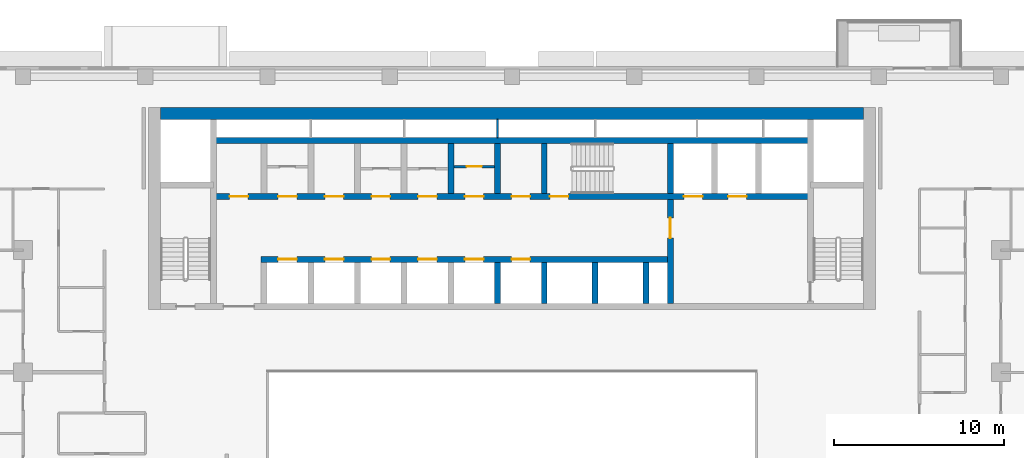
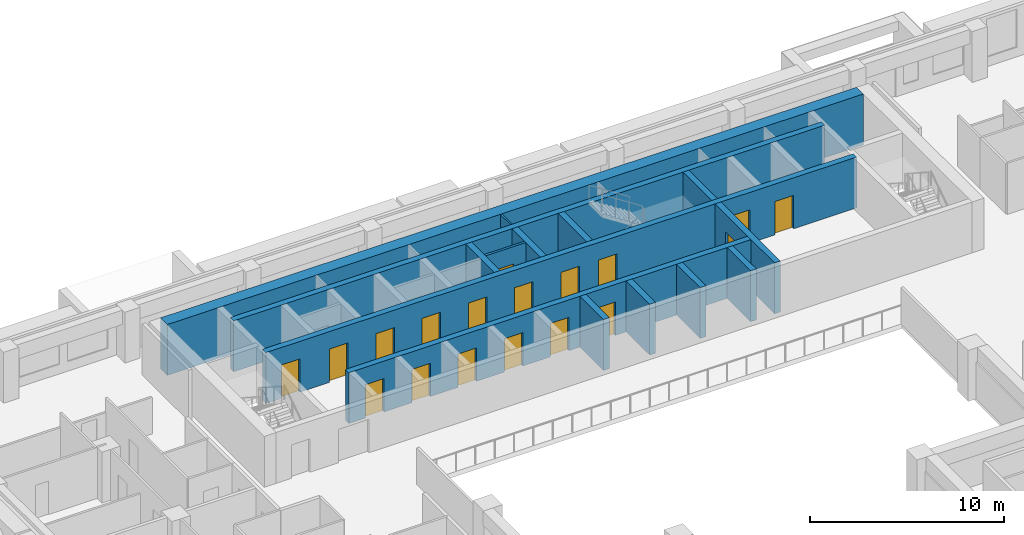
# One storey, part 10 of 17: 18 doors, 15 walls, 18 openings.
"""IFC4 building model written with IfcOpenShell, lengths in metres."""

from ifc_helpers import new_model, si_unit, direction, frame, frame_2d, origin, place, context, subcontext, project, spatial, rectangle, extrude, material, layer, layer_set, type_object, element, fill, save


model = new_model("IFC4")

# Units and contexts
model_context = context("Model", 3, precision=1e-05, world=origin(), true_north=direction((0.0, 1.0)))
body_context = subcontext(model_context, "Body", "Model", "MODEL_VIEW")
ifc_project = project(units=[si_unit("LENGTHUNIT", "METRE"), si_unit("AREAUNIT", "SQUARE_METRE"), si_unit("VOLUMEUNIT", "CUBIC_METRE"), si_unit("PLANEANGLEUNIT", "RADIAN"), si_unit("MASSUNIT", "GRAM", prefix="KILO")], contexts=[model_context])

# Site, building, storey
site_placement = place(None, origin())
site = spatial("IfcSite", under=ifc_project, at=site_placement, CompositionType="ELEMENT")
building_placement = place(site_placement, origin())
building = spatial("IfcBuilding", under=site, at=building_placement, Name="Saffron Iwan Residences", CompositionType="ELEMENT")
storey_placement = place(building_placement, frame((0.0, 0.0, 113.0)))
storey = spatial("IfcBuildingStorey", under=building, at=storey_placement, Name="L29", CompositionType="ELEMENT", Elevation=113.0)

# Wall, opening, door
ifc_material_1 = material(Name="Fire-rated plasterboard partition")
ifc_layer_1 = layer(ifc_material_1, 0.14990234375)
ifc_layer_set_1 = layer_set([ifc_layer_1], Name="Fire-rated plasterboard partition")
wall_type_1 = type_object("IfcWallType", Name="Core partition 150", PredefinedType="PARTITIONING", material=ifc_layer_set_1)
wall_1_placement = place(storey_placement, frame((46.97509765625, 74.51806640625, 0.0), z_axis=(0.0, 0.0, 1.0), x_axis=(1.0, 0.0, 0.0)))
wall_1 = element("IfcWall", 1, at=wall_1_placement, inside=storey, type_object=wall_type_1, Name="Core partition P04", PredefinedType="PARTITIONING", context=body_context, shape_type="SweptSolid", body=[
    extrude(rectangle(XDim=2.39990234375, YDim=0.14990234375, at=frame_2d((1.199951171875, 0.0))), origin(), (0.0, 0.0, 1.0), 3.199951171875),
])
opening_1_placement = place(wall_1_placement, frame((0.75, 0.0, 0.0)))
opening_1 = element("IfcOpeningElement", 2, at=opening_1_placement, cuts=wall_1, Name="Opening SB", PredefinedType="OPENING", context=body_context, shape_type="SweptSolid", body=[
    extrude(rectangle(XDim=0.89990234375, YDim=2.10009765625, at=frame_2d((0.449951171875, 1.050048828125))), frame((0.0, 0.0849609375, 0.0), z_axis=(0.0, -1.0, 0.0), x_axis=(1.0, 0.0, 0.0)), (0.0, 0.0, 1.0), 0.169921875),
])
ifc_material_2 = material(Name="Steel fire door", Category="steel")
door_type_1 = type_object("IfcDoorType", Name="Store door 900", OperationType="NOTDEFINED", PredefinedType="DOOR", material=ifc_material_2)
door_1_placement = place(opening_1_placement, origin())
door_1 = element("IfcDoor", 3, at=door_1_placement, inside=storey, type_object=door_type_1, Name="Door Equipment store", OperationType="SINGLE_SWING_RIGHT", OverallHeight=2.10009765625, OverallWidth=0.89990234375, PredefinedType="DOOR", context=body_context, shape_type="SweptSolid", body=[
    extrude(rectangle(XDim=0.89990234375, YDim=2.10009765625, at=frame_2d((0.449951171875, 1.050048828125))), frame((0.0, 0.02490234375, 0.0), z_axis=(0.0, -1.0, 0.0), x_axis=(1.0, 0.0, 0.0)), (0.0, 0.0, 1.0), 0.050048828125),
])
fill(opening_1, door_1)

# Wall
ifc_layer_2 = layer(ifc_material_1, 0.10009765625)
ifc_layer_set_2 = layer_set([ifc_layer_2], Name="Fire-rated plasterboard partition")
wall_type_2 = type_object("IfcWallType", Name="Riser partition 100", PredefinedType="PARTITIONING", material=ifc_layer_set_2)
wall_2_placement = place(storey_placement, frame((49.550048828125, 76.22509765625, 0.0), z_axis=(0.0, 0.0, 1.0), x_axis=(0.0, 1.0, 0.0)))
element("IfcWall", 4, at=wall_2_placement, inside=storey, type_object=wall_type_2, Name="Core partition P07", PredefinedType="PARTITIONING", context=body_context, shape_type="SweptSolid", body=[
    extrude(rectangle(XDim=1.074951171875, YDim=0.10009765625, at=frame_2d((0.53759765625, 0.0))), origin(), (0.0, 0.0, 1.0), 3.199951171875),
])

# Wall, openings, doors
ifc_material_3 = material(Name="Concrete C50/60", Category="concrete")
ifc_layer_3 = layer(ifc_material_3, 0.35009765625)
ifc_layer_set_3 = layer_set([ifc_layer_3], Name="Concrete C50/60")
wall_type_3 = type_object("IfcWallType", Name="WALL CORE 350 C50/60 3200 HIGH", PredefinedType="SHEAR", material=ifc_layer_set_3)
wall_3_placement = place(storey_placement, frame((35.625, 69.050048828125, 0.0), z_axis=(0.0, 0.0, 1.0), x_axis=(1.0, 0.0, 0.0)))
wall_3 = element("IfcWall", 5, at=wall_3_placement, inside=storey, type_object=wall_type_3, Name="Core wall", PredefinedType="SHEAR", context=body_context, shape_type="SweptSolid", body=[
    extrude(rectangle(XDim=24.10009765625, YDim=0.35009765625, at=frame_2d((12.050048828125, 0.0))), origin(), (0.0, 0.0, 1.0), 3.199951171875),
])
opening_2_placement = place(wall_3_placement, frame((1.0, 0.0, 0.0)))
opening_2 = element("IfcOpeningElement", 6, at=opening_2_placement, cuts=wall_3, Name="Opening LD", PredefinedType="OPENING", context=body_context, shape_type="SweptSolid", body=[
    extrude(rectangle(XDim=1.10009765625, YDim=2.10009765625, at=frame_2d((0.550048828125, 1.050048828125))), frame((0.0, 0.18505859375, 0.0), z_axis=(0.0, -1.0, 0.0), x_axis=(1.0, 0.0, 0.0)), (0.0, 0.0, 1.0), 0.3701171875),
])
opening_3_placement = place(wall_3_placement, frame((3.75, 0.0, 0.0)))
opening_3 = element("IfcOpeningElement", 7, at=opening_3_placement, cuts=wall_3, Name="Opening LD", PredefinedType="OPENING", context=body_context, shape_type="SweptSolid", body=[
    extrude(rectangle(XDim=1.10009765625, YDim=2.10009765625, at=frame_2d((0.550048828125, 1.050048828125))), frame((0.0, 0.18505859375, 0.0), z_axis=(0.0, -1.0, 0.0), x_axis=(1.0, 0.0, 0.0)), (0.0, 0.0, 1.0), 0.3701171875),
])
opening_4_placement = place(wall_3_placement, frame((6.5, 0.0, 0.0)))
opening_4 = element("IfcOpeningElement", 8, at=opening_4_placement, cuts=wall_3, Name="Opening LD", PredefinedType="OPENING", context=body_context, shape_type="SweptSolid", body=[
    extrude(rectangle(XDim=1.10009765625, YDim=2.10009765625, at=frame_2d((0.550048828125, 1.050048828125))), frame((0.0, 0.18505859375, 0.0), z_axis=(0.0, -1.0, 0.0), x_axis=(1.0, 0.0, 0.0)), (0.0, 0.0, 1.0), 0.3701171875),
])
opening_5_placement = place(wall_3_placement, frame((9.25, 0.0, 0.0)))
opening_5 = element("IfcOpeningElement", 9, at=opening_5_placement, cuts=wall_3, Name="Opening LD", PredefinedType="OPENING", context=body_context, shape_type="SweptSolid", body=[
    extrude(rectangle(XDim=1.10009765625, YDim=2.10009765625, at=frame_2d((0.550048828125, 1.050048828125))), frame((0.0, 0.18505859375, 0.0), z_axis=(0.0, -1.0, 0.0), x_axis=(1.0, 0.0, 0.0)), (0.0, 0.0, 1.0), 0.3701171875),
])
opening_6_placement = place(wall_3_placement, frame((12.0, 0.0, 0.0)))
opening_6 = element("IfcOpeningElement", 10, at=opening_6_placement, cuts=wall_3, Name="Opening LD", PredefinedType="OPENING", context=body_context, shape_type="SweptSolid", body=[
    extrude(rectangle(XDim=1.10009765625, YDim=2.10009765625, at=frame_2d((0.550048828125, 1.050048828125))), frame((0.0, 0.18505859375, 0.0), z_axis=(0.0, -1.0, 0.0), x_axis=(1.0, 0.0, 0.0)), (0.0, 0.0, 1.0), 0.3701171875),
])
opening_7_placement = place(wall_3_placement, frame((14.75, 0.0, 0.0)))
opening_7 = element("IfcOpeningElement", 11, at=opening_7_placement, cuts=wall_3, Name="Opening LD", PredefinedType="OPENING", context=body_context, shape_type="SweptSolid", body=[
    extrude(rectangle(XDim=1.10009765625, YDim=2.10009765625, at=frame_2d((0.550048828125, 1.050048828125))), frame((0.0, 0.18505859375, 0.0), z_axis=(0.0, -1.0, 0.0), x_axis=(1.0, 0.0, 0.0)), (0.0, 0.0, 1.0), 0.3701171875),
])
door_type_2 = type_object("IfcDoorType", Name="Lift landing door 1100", OperationType="SLIDING_TO_LEFT", PredefinedType="DOOR", material=ifc_material_2)
door_2_placement = place(opening_2_placement, origin())
door_2 = element("IfcDoor", 12, at=door_2_placement, inside=storey, type_object=door_type_2, Name="Landing doors LR1", OperationType="SLIDING_TO_LEFT", OverallHeight=2.10009765625, OverallWidth=1.10009765625, PredefinedType="DOOR", context=body_context, shape_type="SweptSolid", body=[
    extrude(rectangle(XDim=1.10009765625, YDim=2.10009765625, at=frame_2d((0.550048828125, 1.050048828125))), frame((0.0, 0.02490234375, 0.0), z_axis=(0.0, -1.0, 0.0), x_axis=(1.0, 0.0, 0.0)), (0.0, 0.0, 1.0), 0.050048828125),
])
fill(opening_2, door_2)
door_3_placement = place(opening_3_placement, origin())
door_3 = element("IfcDoor", 13, at=door_3_placement, inside=storey, type_object=door_type_2, Name="Landing doors LR2", OperationType="SLIDING_TO_LEFT", OverallHeight=2.10009765625, OverallWidth=1.10009765625, PredefinedType="DOOR", context=body_context, shape_type="SweptSolid", body=[
    extrude(rectangle(XDim=1.10009765625, YDim=2.10009765625, at=frame_2d((0.550048828125, 1.050048828125))), frame((0.0, 0.02490234375, 0.0), z_axis=(0.0, -1.0, 0.0), x_axis=(1.0, 0.0, 0.0)), (0.0, 0.0, 1.0), 0.050048828125),
])
fill(opening_3, door_3)
door_4_placement = place(opening_4_placement, origin())
door_4 = element("IfcDoor", 14, at=door_4_placement, inside=storey, type_object=door_type_2, Name="Landing doors LR3", OperationType="SLIDING_TO_LEFT", OverallHeight=2.10009765625, OverallWidth=1.10009765625, PredefinedType="DOOR", context=body_context, shape_type="SweptSolid", body=[
    extrude(rectangle(XDim=1.10009765625, YDim=2.10009765625, at=frame_2d((0.550048828125, 1.050048828125))), frame((0.0, 0.02490234375, 0.0), z_axis=(0.0, -1.0, 0.0), x_axis=(1.0, 0.0, 0.0)), (0.0, 0.0, 1.0), 0.050048828125),
])
fill(opening_4, door_4)
door_5_placement = place(opening_5_placement, origin())
door_5 = element("IfcDoor", 15, at=door_5_placement, inside=storey, type_object=door_type_2, Name="Landing doors LR4", OperationType="SLIDING_TO_LEFT", OverallHeight=2.10009765625, OverallWidth=1.10009765625, PredefinedType="DOOR", context=body_context, shape_type="SweptSolid", body=[
    extrude(rectangle(XDim=1.10009765625, YDim=2.10009765625, at=frame_2d((0.550048828125, 1.050048828125))), frame((0.0, 0.02490234375, 0.0), z_axis=(0.0, -1.0, 0.0), x_axis=(1.0, 0.0, 0.0)), (0.0, 0.0, 1.0), 0.050048828125),
])
fill(opening_5, door_5)
door_6_placement = place(opening_6_placement, origin())
door_6 = element("IfcDoor", 16, at=door_6_placement, inside=storey, type_object=door_type_2, Name="Landing doors LR5", OperationType="SLIDING_TO_LEFT", OverallHeight=2.10009765625, OverallWidth=1.10009765625, PredefinedType="DOOR", context=body_context, shape_type="SweptSolid", body=[
    extrude(rectangle(XDim=1.10009765625, YDim=2.10009765625, at=frame_2d((0.550048828125, 1.050048828125))), frame((0.0, 0.02490234375, 0.0), z_axis=(0.0, -1.0, 0.0), x_axis=(1.0, 0.0, 0.0)), (0.0, 0.0, 1.0), 0.050048828125),
])
fill(opening_6, door_6)
door_7_placement = place(opening_7_placement, origin())
door_7 = element("IfcDoor", 17, at=door_7_placement, inside=storey, type_object=door_type_2, Name="Landing doors LR6", OperationType="SLIDING_TO_LEFT", OverallHeight=2.10009765625, OverallWidth=1.10009765625, PredefinedType="DOOR", context=body_context, shape_type="SweptSolid", body=[
    extrude(rectangle(XDim=1.10009765625, YDim=2.10009765625, at=frame_2d((0.550048828125, 1.050048828125))), frame((0.0, 0.02490234375, 0.0), z_axis=(0.0, -1.0, 0.0), x_axis=(1.0, 0.0, 0.0)), (0.0, 0.0, 1.0), 0.050048828125),
])
fill(opening_7, door_7)

wall_4_placement = place(storey_placement, frame((32.824951171875, 72.75, 0.0), z_axis=(0.0, 0.0, 1.0), x_axis=(1.0, 0.0, 0.0)))
wall_4 = element("IfcWall", 18, at=wall_4_placement, inside=storey, type_object=wall_type_3, Name="Core wall", PredefinedType="SHEAR", context=body_context, shape_type="SweptSolid", body=[
    extrude(rectangle(XDim=35.150146484375, YDim=0.35009765625, at=frame_2d((17.5751953125, 0.0))), origin(), (0.0, 0.0, 1.0), 3.199951171875),
])
opening_8_placement = place(wall_4_placement, frame((19.800048828125, 0.0, 0.0)))
opening_8 = element("IfcOpeningElement", 19, at=opening_8_placement, cuts=wall_4, Name="Opening SD", PredefinedType="OPENING", context=body_context, shape_type="SweptSolid", body=[
    extrude(rectangle(XDim=1.10009765625, YDim=2.10009765625, at=frame_2d((0.550048828125, 1.050048828125))), frame((0.0, 0.18505859375, 0.0), z_axis=(0.0, -1.0, 0.0), x_axis=(1.0, 0.0, 0.0)), (0.0, 0.0, 1.0), 0.3701171875),
])
opening_9_placement = place(wall_4_placement, frame((27.699951171875, 0.0, 0.0)))
opening_9 = element("IfcOpeningElement", 20, at=opening_9_placement, cuts=wall_4, Name="Opening LD", PredefinedType="OPENING", context=body_context, shape_type="SweptSolid", body=[
    extrude(rectangle(XDim=1.10009765625, YDim=2.10009765625, at=frame_2d((0.550048828125, 1.050048828125))), frame((0.0, 0.18505859375, 0.0), z_axis=(0.0, -1.0, 0.0), x_axis=(1.0, 0.0, 0.0)), (0.0, 0.0, 1.0), 0.3701171875),
])
opening_10_placement = place(wall_4_placement, frame((30.300048828125, 0.0, 0.0)))
opening_10 = element("IfcOpeningElement", 21, at=opening_10_placement, cuts=wall_4, Name="Opening LD", PredefinedType="OPENING", context=body_context, shape_type="SweptSolid", body=[
    extrude(rectangle(XDim=1.10009765625, YDim=2.10009765625, at=frame_2d((0.550048828125, 1.050048828125))), frame((0.0, 0.18505859375, 0.0), z_axis=(0.0, -1.0, 0.0), x_axis=(1.0, 0.0, 0.0)), (0.0, 0.0, 1.0), 0.3701171875),
])
opening_11_placement = place(wall_4_placement, frame((3.800048828125, 0.0, 0.0)))
opening_11 = element("IfcOpeningElement", 22, at=opening_11_placement, cuts=wall_4, Name="Opening SR", PredefinedType="OPENING", context=body_context, shape_type="SweptSolid", body=[
    extrude(rectangle(XDim=1.10009765625, YDim=2.10009765625, at=frame_2d((0.550048828125, 1.050048828125))), frame((0.0, 0.18505859375, 0.0), z_axis=(0.0, -1.0, 0.0), x_axis=(1.0, 0.0, 0.0)), (0.0, 0.0, 1.0), 0.3701171875),
])
opening_12_placement = place(wall_4_placement, frame((6.550048828125, 0.0, 0.0)))
opening_12 = element("IfcOpeningElement", 23, at=opening_12_placement, cuts=wall_4, Name="Opening SR", PredefinedType="OPENING", context=body_context, shape_type="SweptSolid", body=[
    extrude(rectangle(XDim=1.10009765625, YDim=2.10009765625, at=frame_2d((0.550048828125, 1.050048828125))), frame((0.0, 0.18505859375, 0.0), z_axis=(0.0, -1.0, 0.0), x_axis=(1.0, 0.0, 0.0)), (0.0, 0.0, 1.0), 0.3701171875),
])
opening_13_placement = place(wall_4_placement, frame((9.300048828125, 0.0, 0.0)))
opening_13 = element("IfcOpeningElement", 24, at=opening_13_placement, cuts=wall_4, Name="Opening SR", PredefinedType="OPENING", context=body_context, shape_type="SweptSolid", body=[
    extrude(rectangle(XDim=1.10009765625, YDim=2.10009765625, at=frame_2d((0.550048828125, 1.050048828125))), frame((0.0, 0.18505859375, 0.0), z_axis=(0.0, -1.0, 0.0), x_axis=(1.0, 0.0, 0.0)), (0.0, 0.0, 1.0), 0.3701171875),
])
opening_14_placement = place(wall_4_placement, frame((12.050048828125, 0.0, 0.0)))
opening_14 = element("IfcOpeningElement", 25, at=opening_14_placement, cuts=wall_4, Name="Opening SR", PredefinedType="OPENING", context=body_context, shape_type="SweptSolid", body=[
    extrude(rectangle(XDim=1.10009765625, YDim=2.10009765625, at=frame_2d((0.550048828125, 1.050048828125))), frame((0.0, 0.18505859375, 0.0), z_axis=(0.0, -1.0, 0.0), x_axis=(1.0, 0.0, 0.0)), (0.0, 0.0, 1.0), 0.3701171875),
])
opening_15_placement = place(wall_4_placement, frame((14.800048828125, 0.0, 0.0)))
opening_15 = element("IfcOpeningElement", 26, at=opening_15_placement, cuts=wall_4, Name="Opening SR", PredefinedType="OPENING", context=body_context, shape_type="SweptSolid", body=[
    extrude(rectangle(XDim=1.10009765625, YDim=2.10009765625, at=frame_2d((0.550048828125, 1.050048828125))), frame((0.0, 0.18505859375, 0.0), z_axis=(0.0, -1.0, 0.0), x_axis=(1.0, 0.0, 0.0)), (0.0, 0.0, 1.0), 0.3701171875),
])
opening_16_placement = place(wall_4_placement, frame((17.550048828125, 0.0, 0.0)))
opening_16 = element("IfcOpeningElement", 27, at=opening_16_placement, cuts=wall_4, Name="Opening SR", PredefinedType="OPENING", context=body_context, shape_type="SweptSolid", body=[
    extrude(rectangle(XDim=1.10009765625, YDim=2.10009765625, at=frame_2d((0.550048828125, 1.050048828125))), frame((0.0, 0.18505859375, 0.0), z_axis=(0.0, -1.0, 0.0), x_axis=(1.0, 0.0, 0.0)), (0.0, 0.0, 1.0), 0.3701171875),
])
opening_17_placement = place(wall_4_placement, frame((0.9375, 0.0, 0.0)))
opening_17 = element("IfcOpeningElement", 28, at=opening_17_placement, cuts=wall_4, Name="Opening SR", PredefinedType="OPENING", context=body_context, shape_type="SweptSolid", body=[
    extrude(rectangle(XDim=1.10009765625, YDim=2.10009765625, at=frame_2d((0.550048828125, 1.050048828125))), frame((0.0, 0.18505859375, 0.0), z_axis=(0.0, -1.0, 0.0), x_axis=(1.0, 0.0, 0.0)), (0.0, 0.0, 1.0), 0.3701171875),
])
door_8_placement = place(opening_9_placement, origin())
door_8 = element("IfcDoor", 29, at=door_8_placement, inside=storey, type_object=door_type_2, Name="Landing doors FF1", OperationType="SLIDING_TO_LEFT", OverallHeight=2.10009765625, OverallWidth=1.10009765625, PredefinedType="DOOR", context=body_context, shape_type="SweptSolid", body=[
    extrude(rectangle(XDim=1.10009765625, YDim=2.10009765625, at=frame_2d((0.550048828125, 1.050048828125))), frame((0.0, 0.02490234375, 0.0), z_axis=(0.0, -1.0, 0.0), x_axis=(1.0, 0.0, 0.0)), (0.0, 0.0, 1.0), 0.050048828125),
])
fill(opening_9, door_8)
door_9_placement = place(opening_10_placement, origin())
door_9 = element("IfcDoor", 30, at=door_9_placement, inside=storey, type_object=door_type_2, Name="Landing doors FF2", OperationType="SLIDING_TO_LEFT", OverallHeight=2.10009765625, OverallWidth=1.10009765625, PredefinedType="DOOR", context=body_context, shape_type="SweptSolid", body=[
    extrude(rectangle(XDim=1.10009765625, YDim=2.10009765625, at=frame_2d((0.550048828125, 1.050048828125))), frame((0.0, 0.02490234375, 0.0), z_axis=(0.0, -1.0, 0.0), x_axis=(1.0, 0.0, 0.0)), (0.0, 0.0, 1.0), 0.050048828125),
])
fill(opening_10, door_9)
door_type_3 = type_object("IfcDoorType", Name="Service door 1100", OperationType="NOTDEFINED", PredefinedType="DOOR", material=ifc_material_2)
door_10_placement = place(opening_11_placement, origin())
door_10 = element("IfcDoor", 31, at=door_10_placement, inside=storey, type_object=door_type_3, Name="Door Electrical room", OperationType="SINGLE_SWING_LEFT", OverallHeight=2.10009765625, OverallWidth=1.10009765625, PredefinedType="DOOR", context=body_context, shape_type="SweptSolid", body=[
    extrude(rectangle(XDim=1.10009765625, YDim=2.10009765625, at=frame_2d((0.550048828125, 1.050048828125))), frame((0.0, 0.02490234375, 0.0), z_axis=(0.0, -1.0, 0.0), x_axis=(1.0, 0.0, 0.0)), (0.0, 0.0, 1.0), 0.050048828125),
])
fill(opening_11, door_10)
door_11_placement = place(opening_12_placement, origin())
door_11 = element("IfcDoor", 32, at=door_11_placement, inside=storey, type_object=door_type_3, Name="Door Luggage store", OperationType="SINGLE_SWING_RIGHT", OverallHeight=2.10009765625, OverallWidth=1.10009765625, PredefinedType="DOOR", context=body_context, shape_type="SweptSolid", body=[
    extrude(rectangle(XDim=1.10009765625, YDim=2.10009765625, at=frame_2d((0.550048828125, 1.050048828125))), frame((0.0, 0.02490234375, 0.0), z_axis=(0.0, -1.0, 0.0), x_axis=(1.0, 0.0, 0.0)), (0.0, 0.0, 1.0), 0.050048828125),
])
fill(opening_12, door_11)
door_12_placement = place(opening_13_placement, origin())
door_12 = element("IfcDoor", 33, at=door_12_placement, inside=storey, type_object=door_type_3, Name="Door Refuse store", OperationType="SINGLE_SWING_LEFT", OverallHeight=2.10009765625, OverallWidth=1.10009765625, PredefinedType="DOOR", context=body_context, shape_type="SweptSolid", body=[
    extrude(rectangle(XDim=1.10009765625, YDim=2.10009765625, at=frame_2d((0.550048828125, 1.050048828125))), frame((0.0, 0.02490234375, 0.0), z_axis=(0.0, -1.0, 0.0), x_axis=(1.0, 0.0, 0.0)), (0.0, 0.0, 1.0), 0.050048828125),
])
fill(opening_13, door_12)
door_13_placement = place(opening_14_placement, origin())
door_13 = element("IfcDoor", 34, at=door_13_placement, inside=storey, type_object=door_type_3, Name="Door Maintenance store", OperationType="SINGLE_SWING_RIGHT", OverallHeight=2.10009765625, OverallWidth=1.10009765625, PredefinedType="DOOR", context=body_context, shape_type="SweptSolid", body=[
    extrude(rectangle(XDim=1.10009765625, YDim=2.10009765625, at=frame_2d((0.550048828125, 1.050048828125))), frame((0.0, 0.02490234375, 0.0), z_axis=(0.0, -1.0, 0.0), x_axis=(1.0, 0.0, 0.0)), (0.0, 0.0, 1.0), 0.050048828125),
])
fill(opening_14, door_13)
door_14_placement = place(opening_15_placement, origin())
door_14 = element("IfcDoor", 35, at=door_14_placement, inside=storey, type_object=door_type_3, Name="Door Linen store", OperationType="SINGLE_SWING_LEFT", OverallHeight=2.10009765625, OverallWidth=1.10009765625, PredefinedType="DOOR", context=body_context, shape_type="SweptSolid", body=[
    extrude(rectangle(XDim=1.10009765625, YDim=2.10009765625, at=frame_2d((0.550048828125, 1.050048828125))), frame((0.0, 0.02490234375, 0.0), z_axis=(0.0, -1.0, 0.0), x_axis=(1.0, 0.0, 0.0)), (0.0, 0.0, 1.0), 0.050048828125),
])
fill(opening_15, door_14)
door_15_placement = place(opening_16_placement, origin())
door_15 = element("IfcDoor", 36, at=door_15_placement, inside=storey, type_object=door_type_3, Name="Door Pantry", OperationType="SINGLE_SWING_RIGHT", OverallHeight=2.10009765625, OverallWidth=1.10009765625, PredefinedType="DOOR", context=body_context, shape_type="SweptSolid", body=[
    extrude(rectangle(XDim=1.10009765625, YDim=2.10009765625, at=frame_2d((0.550048828125, 1.050048828125))), frame((0.0, 0.02490234375, 0.0), z_axis=(0.0, -1.0, 0.0), x_axis=(1.0, 0.0, 0.0)), (0.0, 0.0, 1.0), 0.050048828125),
])
fill(opening_16, door_15)
door_16_placement = place(opening_17_placement, origin())
door_16 = element("IfcDoor", 37, at=door_16_placement, inside=storey, type_object=door_type_3, Name="Door Cleaner's store", OperationType="SINGLE_SWING_LEFT", OverallHeight=2.10009765625, OverallWidth=1.10009765625, PredefinedType="DOOR", context=body_context, shape_type="SweptSolid", body=[
    extrude(rectangle(XDim=1.10009765625, YDim=2.10009765625, at=frame_2d((0.550048828125, 1.050048828125))), frame((0.0, 0.02490234375, 0.0), z_axis=(0.0, -1.0, 0.0), x_axis=(1.0, 0.0, 0.0)), (0.0, 0.0, 1.0), 0.050048828125),
])
fill(opening_17, door_16)
door_type_4 = type_object("IfcDoorType", Name="Stair door 1100", OperationType="NOTDEFINED", PredefinedType="DOOR", material=ifc_material_2)
door_17_placement = place(opening_8_placement, origin())
door_17 = element("IfcDoor", 38, at=door_17_placement, inside=storey, type_object=door_type_4, Name="Stair door ST-C", OperationType="SINGLE_SWING_LEFT", OverallHeight=2.10009765625, OverallWidth=1.10009765625, PredefinedType="DOOR", context=body_context, shape_type="SweptSolid", body=[
    extrude(rectangle(XDim=1.10009765625, YDim=2.10009765625, at=frame_2d((0.550048828125, 1.050048828125))), frame((0.0, 0.02490234375, 0.0), z_axis=(0.0, -1.0, 0.0), x_axis=(1.0, 0.0, 0.0)), (0.0, 0.0, 1.0), 0.050048828125),
])
fill(opening_8, door_17)

# Wall
wall_5_placement = place(storey_placement, frame((32.824951171875, 76.050048828125, 0.0), z_axis=(0.0, 0.0, 1.0), x_axis=(1.0, 0.0, 0.0)))
element("IfcWall", 39, at=wall_5_placement, inside=storey, type_object=wall_type_3, Name="Core wall", PredefinedType="SHEAR", context=body_context, shape_type="SweptSolid", body=[
    extrude(rectangle(XDim=35.150146484375, YDim=0.35009765625, at=frame_2d((17.5751953125, 0.0))), origin(), (0.0, 0.0, 1.0), 3.199951171875),
])

# Wall, opening, door
wall_6_placement = place(storey_placement, frame((59.72509765625, 66.449951171875, 0.0), z_axis=(0.0, 0.0, 1.0), x_axis=(0.0, 1.0, 0.0)))
wall_6 = element("IfcWall", 40, at=wall_6_placement, inside=storey, type_object=wall_type_3, Name="Core wall", PredefinedType="SHEAR", context=body_context, shape_type="SweptSolid", body=[
    extrude(rectangle(XDim=6.125, YDim=0.35009765625, at=frame_2d((3.0625, 0.0))), origin(), (0.0, 0.0, 1.0), 3.199951171875),
])
opening_18_placement = place(wall_6_placement, frame((3.85009765625, 0.0, 0.0)))
opening_18 = element("IfcOpeningElement", 41, at=opening_18_placement, cuts=wall_6, Name="Opening FD", PredefinedType="OPENING", context=body_context, shape_type="SweptSolid", body=[
    extrude(rectangle(XDim=1.199951171875, YDim=2.10009765625, at=frame_2d((0.60009765625, 1.050048828125))), frame((0.0, 0.18505859375, 0.0), z_axis=(0.0, -1.0, 0.0), x_axis=(1.0, 0.0, 0.0)), (0.0, 0.0, 1.0), 0.3701171875),
])
door_type_5 = type_object("IfcDoorType", Name="Firefighting lobby door 1200", OperationType="NOTDEFINED", PredefinedType="DOOR", material=ifc_material_2)
door_18_placement = place(opening_18_placement, origin())
door_18 = element("IfcDoor", 42, at=door_18_placement, inside=storey, type_object=door_type_5, Name="Firefighting lobby door", OperationType="SINGLE_SWING_LEFT", OverallHeight=2.10009765625, OverallWidth=1.199951171875, PredefinedType="DOOR", context=body_context, shape_type="SweptSolid", body=[
    extrude(rectangle(XDim=1.199951171875, YDim=2.10009765625, at=frame_2d((0.60009765625, 1.050048828125))), frame((0.0, 0.02490234375, 0.0), z_axis=(0.0, -1.0, 0.0), x_axis=(1.0, 0.0, 0.0)), (0.0, 0.0, 1.0), 0.050048828125),
])
fill(opening_18, door_18)

# Walls
wall_7_placement = place(storey_placement, frame((59.72509765625, 72.925048828125, 0.0), z_axis=(0.0, 0.0, 1.0), x_axis=(0.0, 1.0, 0.0)))
element("IfcWall", 43, at=wall_7_placement, inside=storey, type_object=wall_type_3, Name="Core wall", PredefinedType="SHEAR", context=body_context, shape_type="SweptSolid", body=[
    extrude(rectangle(XDim=2.949951171875, YDim=0.35009765625, at=frame_2d((1.47509765625, 0.0))), origin(), (0.0, 0.0, 1.0), 3.199951171875),
])
for number, where, z_axis, x_axis, name in (
    (44, (49.550048828125, 66.449951171875, 0.0), (0.0, 0.0, 1.0), (0.0, 1.0, 0.0), "Core wall"),
    (45, (52.300048828125, 66.449951171875, 0.0), (0.0, 0.0, 1.0), (0.0, 1.0, 0.0), "Core wall"),
    (46, (55.300048828125, 66.449951171875, 0.0), (0.0, 0.0, 1.0), (0.0, 1.0, 0.0), "Core wall"),
    (47, (58.300048828125, 66.449951171875, 0.0), (0.0, 0.0, 1.0), (0.0, 1.0, 0.0), "Core wall"),
):
    element("IfcWall", number, at=place(storey_placement, frame(where, z_axis=z_axis, x_axis=x_axis)), inside=storey, type_object=wall_type_3, Name=name, PredefinedType="SHEAR", context=body_context, shape_type="SweptSolid", body=[
        extrude(rectangle(XDim=2.425048828125, YDim=0.35009765625, at=frame_2d((1.21240234375, 0.0))), origin(), (0.0, 0.0, 1.0), 3.199951171875),
    ])
for number, where, z_axis, x_axis, name in (
    (48, (46.800048828125, 72.925048828125, 0.0), (0.0, 0.0, 1.0), (0.0, 1.0, 0.0), "Core wall"),
    (49, (49.550048828125, 72.925048828125, 0.0), (0.0, 0.0, 1.0), (0.0, 1.0, 0.0), "Core wall"),
    (50, (52.300048828125, 72.925048828125, 0.0), (0.0, 0.0, 1.0), (0.0, 1.0, 0.0), "Core wall"),
):
    element("IfcWall", number, at=place(storey_placement, frame(where, z_axis=z_axis, x_axis=x_axis)), inside=storey, type_object=wall_type_3, Name=name, PredefinedType="SHEAR", context=body_context, shape_type="SweptSolid", body=[
        extrude(rectangle(XDim=2.949951171875, YDim=0.35009765625, at=frame_2d((1.47509765625, 0.0))), origin(), (0.0, 0.0, 1.0), 3.199951171875),
    ])
ifc_layer_4 = layer(ifc_material_3, 0.699951171875)
ifc_layer_set_4 = layer_set([ifc_layer_4], Name="Concrete C50/60")
wall_type_4 = type_object("IfcWallType", Name="WALL CORE 700 C50/60 3200 HIGH", PredefinedType="SHEAR", material=ifc_layer_set_4)
wall_8_placement = place(storey_placement, frame((29.699951171875, 77.64990234375, 0.0), z_axis=(0.0, 0.0, 1.0), x_axis=(1.0, 0.0, 0.0)))
element("IfcWall", 51, at=wall_8_placement, inside=storey, type_object=wall_type_4, Name="Core wall", PredefinedType="SHEAR", context=body_context, shape_type="SweptSolid", body=[
    extrude(rectangle(XDim=41.400146484375, YDim=0.699951171875, at=frame_2d((20.7001953125, 0.0))), origin(), (0.0, 0.0, 1.0), 3.199951171875),
])

save(model, "model.ifc")
